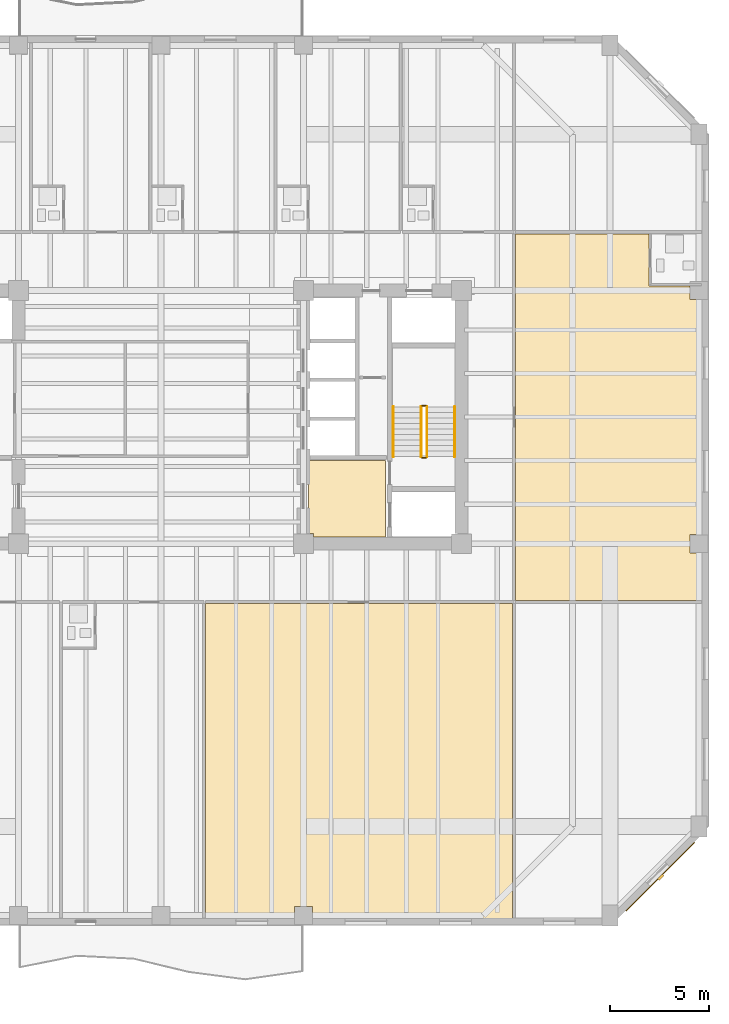
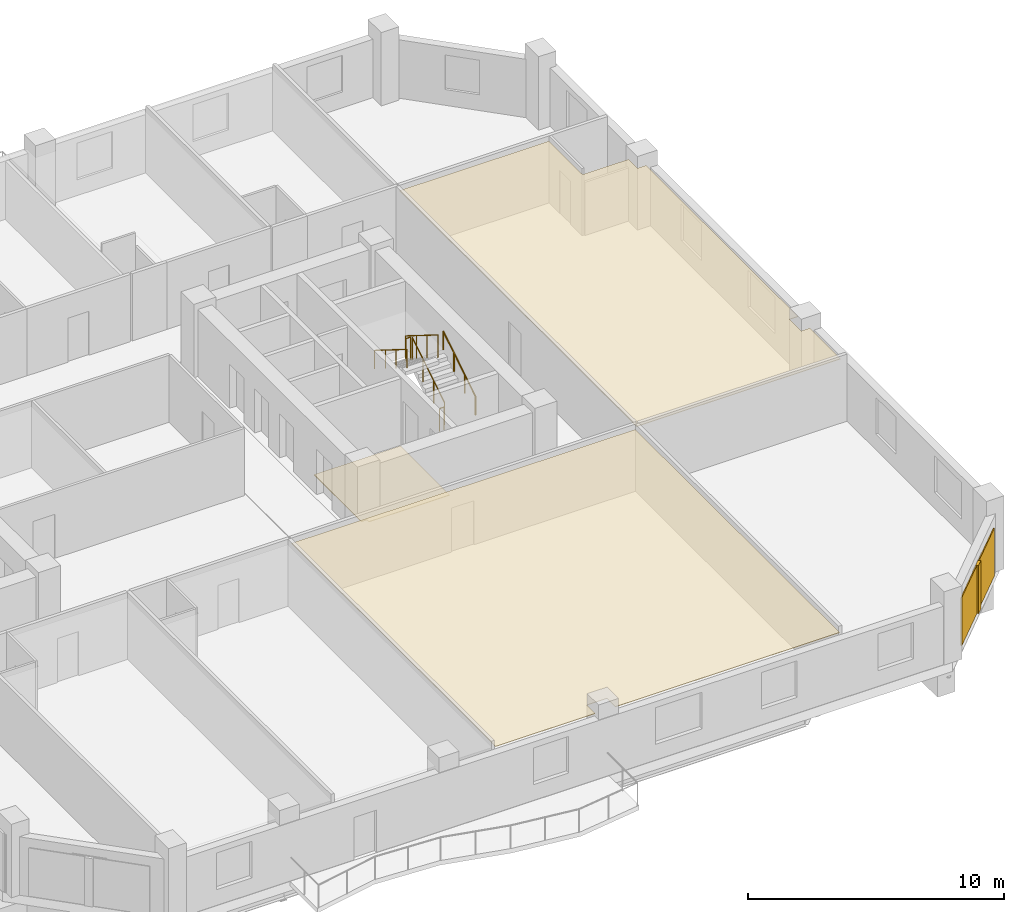
# One storey, part 9 of 11: 6 railings, 4 coverings, 1 shading device.
"""IFC4 building model written with IfcOpenShell, lengths in metres."""

from ifc_helpers import new_model, si_unit, direction, frame, origin, origin_2d, place, context, subcontext, project, spatial, polyline, rectangle, circle, outline, extrude, material, layer, layer_set, type_object, element, save


model = new_model("IFC4")

# Units and contexts
model_context = context("Model", 3, precision=1e-05, world=origin(), true_north=direction((0.0, 1.0)))
body_context = subcontext(model_context, "Body", "Model", "MODEL_VIEW")
ifc_project = project(units=[si_unit("LENGTHUNIT", "METRE"), si_unit("AREAUNIT", "SQUARE_METRE"), si_unit("VOLUMEUNIT", "CUBIC_METRE"), si_unit("PLANEANGLEUNIT", "RADIAN"), si_unit("MASSUNIT", "GRAM", prefix="KILO")], contexts=[model_context])

# Site, building, storey
site_placement = place(None, origin())
site = spatial("IfcSite", under=ifc_project, at=site_placement, CompositionType="ELEMENT")
building_placement = place(site_placement, origin())
building = spatial("IfcBuilding", under=site, at=building_placement, Name="Kranthara Brick Stack", CompositionType="ELEMENT")
storey_placement = place(building_placement, frame((0.0, 0.0, 141.300048828125)))
storey = spatial("IfcBuildingStorey", under=building, at=storey_placement, Name="L35", CompositionType="ELEMENT", Elevation=141.300048828125)

# Coverings
ifc_material_1 = material(Name="Perforated mineral-fibre acoustic ceiling tile", Category="other")
ifc_layer_1 = layer(ifc_material_1, 0.02490234375)
ifc_layer_set_1 = layer_set([ifc_layer_1], Name="Perforated mineral-fibre acoustic ceiling tile")
covering_type_1 = type_object("IfcCoveringType", Name="COV-CEIL-ACOUSTIC", PredefinedType="CEILING", material=ifc_layer_set_1)
covering_1_placement = place(storey_placement, frame((0.0, 0.0, 2.929931640625)))
element("IfcCovering", 1, at=covering_1_placement, inside=storey, type_object=covering_type_1, Name="L35 L35 Guest Sky Lounge 3 Acoustic Ceiling", PredefinedType="CEILING", context=body_context, shape_type="SweptSolid", body=[
    extrude(outline(polyline([(30.251953125, 1.800048828125), (30.251953125, 17.77001953125), (45.77001953125, 17.77001953125), (45.77001953125, 1.800048828125), (35.659912109375, 1.800048828125), (35.659912109375, 2.4599609375), (34.739990234375, 2.4599609375), (34.739990234375, 1.800048828125), (30.251953125, 1.800048828125)])), origin(), (0.0, 0.0, 1.0), 0.02490234375),
])
covering_2_placement = place(storey_placement, frame((0.0, 0.0, 2.929931640625)))
element("IfcCovering", 2, at=covering_2_placement, inside=storey, type_object=covering_type_1, Name="L35 Room L35-09 Corner Junior Suite Acoustic Ceiling", PredefinedType="CEILING", context=body_context, shape_type="SweptSolid", body=[
    extrude(outline(polyline([(45.919921875, 17.929931640625), (45.919921875, 36.469970703125), (52.669921875, 36.469970703125), (52.669921875, 33.840087890625), (54.739990234375, 33.840087890625), (54.739990234375, 33.139892578125), (55.1298828125, 33.139892578125), (55.1298828125, 21.260009765625), (54.739990234375, 21.260009765625), (54.739990234375, 20.340087890625), (55.1298828125, 20.340087890625), (55.1298828125, 17.929931640625), (45.919921875, 17.929931640625)])), origin(), (0.0, 0.0, 1.0), 0.02490234375),
])
ifc_material_2 = material(Name="Warm buff kiln-fired brick slip rainscreen", Category="masonry")
ifc_layer_2 = layer(ifc_material_2, 0.044921875)
ifc_layer_set_2 = layer_set([ifc_layer_2], Name="Warm buff kiln-fired brick slip rainscreen")
covering_type_2 = type_object("IfcCoveringType", Name="COV-CLAD-BRICK", PredefinedType="CLADDING", material=ifc_layer_set_2)
covering_3_placement = place(storey_placement, frame((53.240478515625, 3.959716796875, 0.0498046875), z_axis=(0.0, 0.0, 1.0), x_axis=(-0.707106781187, -0.707106781187, 0.0)))
element("IfcCovering", 3, at=covering_3_placement, inside=storey, type_object=covering_type_2, Name="L35 Chamfer Brick Rainscreen Cladding SE", PredefinedType="CLADDING", context=body_context, shape_type="SweptSolid", body=[
    extrude(rectangle(XDim=4.89306640625, YDim=0.044921875, at=origin_2d()), origin(), (0.0, 0.0, 1.0), 2.300048828125),
])
ifc_material_3 = material(Name="Honed terrazzo and porcelain floor finish", Category="stone")
ifc_layer_3 = layer(ifc_material_3, 0.030029296875)
ifc_layer_set_3 = layer_set([ifc_layer_3], Name="Honed terrazzo and porcelain floor finish")
covering_type_3 = type_object("IfcCoveringType", Name="COV-FLOR-STONE", PredefinedType="FLOORING", material=ifc_layer_set_3)
covering_4_placement = place(storey_placement, origin())
element("IfcCovering", 4, at=covering_4_placement, inside=storey, type_object=covering_type_3, Name="L35 Lift Lobby Stone Flooring", PredefinedType="FLOORING", context=body_context, shape_type="SweptSolid", body=[
    extrude(outline(polyline([(35.449951171875, 25.0), (39.35009765625, 25.0), (39.35009765625, 21.14990234375), (35.7099609375, 21.14990234375), (35.7099609375, 21.31005859375), (35.449951171875, 21.31005859375), (35.449951171875, 25.0)])), origin(), (0.0, 0.0, 1.0), 0.030029296875),
])

# Railings
ifc_material_4 = material(Name="Painted galvanized steel stair guardrail", Category="steel")
railing_type_1 = type_object("IfcRailingType", Name="RL-STAIR-GUARD-1100", PredefinedType="GUARDRAIL", material=ifc_material_4)
railing_1_placement = place(storey_placement, frame((41.449951171875, 25.199951171875, 0.175048828125)))
element("IfcRailing", 5, at=railing_1_placement, inside=storey, type_object=railing_type_1, Name="L35 ST02 stair guard 1", PredefinedType="GUARDRAIL", context=body_context, shape_type="SweptSolid", body=[
    extrude(circle(Radius=0.02392578125, at=origin_2d()), frame((0.0, 0.0, 1.076171875), z_axis=(0.0, 0.848007534815, 0.529984170421), x_axis=(-1.0, 0.0, 0.0)), (0.0, 0.0, 1.0), 2.9716796875),
    extrude(circle(Radius=0.02099609375, at=origin_2d()), origin(), (0.0, 0.0, 1.0), 1.052001953125),
    extrude(circle(Radius=0.02099609375, at=origin_2d()), frame((0.0, 0.840087890625, 0.52490234375)), (0.0, 0.0, 1.0), 1.052001953125),
    extrude(circle(Radius=0.02099609375, at=origin_2d()), frame((0.0, 1.679931640625, 1.050048828125)), (0.0, 0.0, 1.0), 1.052001953125),
    extrude(circle(Radius=0.02099609375, at=origin_2d()), frame((0.0, 2.52001953125, 1.574951171875)), (0.0, 0.0, 1.0), 1.052001953125),
])
railing_2_placement = place(storey_placement, frame((41.39990234375, 27.77001953125, 1.75)))
element("IfcRailing", 6, at=railing_2_placement, inside=storey, type_object=railing_type_1, Name="L35 ST02 stair guard 2", PredefinedType="GUARDRAIL", context=body_context, shape_type="SweptSolid", body=[
    extrude(circle(Radius=0.02392578125, at=origin_2d()), frame((0.0, 0.0, 1.076171875), z_axis=(-1.0, 0.0, 0.0), x_axis=(0.0, -1.0, 0.0)), (0.0, 0.0, 1.0), 0.199951171875),
    extrude(circle(Radius=0.02099609375, at=origin_2d()), origin(), (0.0, 0.0, 1.0), 1.052001953125),
    extrude(circle(Radius=0.02099609375, at=origin_2d()), frame((-0.199951171875, 0.0, 0.0)), (0.0, 0.0, 1.0), 1.052001953125),
])
railing_3_placement = place(storey_placement, frame((41.14990234375, 27.719970703125, 1.925048828125)))
element("IfcRailing", 7, at=railing_3_placement, inside=storey, type_object=railing_type_1, Name="L35 ST02 stair guard 3", PredefinedType="GUARDRAIL", context=body_context, shape_type="SweptSolid", body=[
    extrude(circle(Radius=0.02392578125, at=origin_2d()), frame((0.0, 0.0, 1.076171875), z_axis=(0.0, -0.848007534815, 0.529984170421), x_axis=(1.0, 0.0, 0.0)), (0.0, 0.0, 1.0), 2.9716796875),
    extrude(circle(Radius=0.02099609375, at=origin_2d()), origin(), (0.0, 0.0, 1.0), 1.052001953125),
    extrude(circle(Radius=0.02099609375, at=origin_2d()), frame((0.0, -0.840087890625, 0.52490234375)), (0.0, 0.0, 1.0), 1.052001953125),
    extrude(circle(Radius=0.02099609375, at=origin_2d()), frame((0.0, -1.679931640625, 1.050048828125)), (0.0, 0.0, 1.0), 1.052001953125),
    extrude(circle(Radius=0.02099609375, at=origin_2d()), frame((0.0, -2.52001953125, 1.574951171875)), (0.0, 0.0, 1.0), 1.052001953125),
])
railing_4_placement = place(storey_placement, frame((41.39990234375, 25.14990234375, 0.0)))
element("IfcRailing", 8, at=railing_4_placement, inside=storey, type_object=railing_type_1, Name="L35 ST02 stair guard 4", PredefinedType="GUARDRAIL", context=body_context, shape_type="SweptSolid", body=[
    extrude(circle(Radius=0.02392578125, at=origin_2d()), frame((0.0, 0.0, 1.076171875), z_axis=(-1.0, 0.0, 0.0), x_axis=(0.0, -1.0, 0.0)), (0.0, 0.0, 1.0), 0.199951171875),
    extrude(circle(Radius=0.02099609375, at=origin_2d()), origin(), (0.0, 0.0, 1.0), 1.052001953125),
    extrude(circle(Radius=0.02099609375, at=origin_2d()), frame((-0.199951171875, 0.0, 0.0)), (0.0, 0.0, 1.0), 1.052001953125),
])
ifc_material_5 = material(Name="Brushed stainless steel tubular handrail", Category="steel")
railing_type_2 = type_object("IfcRailingType", Name="RL-STAIR-HAND-900", PredefinedType="HANDRAIL", material=ifc_material_5)
railing_5_placement = place(storey_placement, frame((42.85009765625, 25.199951171875, 0.175048828125)))
element("IfcRailing", 9, at=railing_5_placement, inside=storey, type_object=railing_type_2, Name="L35 ST02 stair handrail 1", PredefinedType="HANDRAIL", context=body_context, shape_type="SweptSolid", body=[
    extrude(circle(Radius=0.02392578125, at=origin_2d()), frame((0.0, 0.0, 0.8759765625), z_axis=(0.0, 0.848007534815, 0.529984170421), x_axis=(-1.0, 0.0, 0.0)), (0.0, 0.0, 1.0), 2.9716796875),
    extrude(circle(Radius=0.02099609375, at=origin_2d()), origin(), (0.0, 0.0, 1.0), 0.851806640625),
    extrude(circle(Radius=0.02099609375, at=origin_2d()), frame((0.0, 0.840087890625, 0.52490234375)), (0.0, 0.0, 1.0), 0.851806640625),
    extrude(circle(Radius=0.02099609375, at=origin_2d()), frame((0.0, 1.679931640625, 1.050048828125)), (0.0, 0.0, 1.0), 0.851806640625),
    extrude(circle(Radius=0.02099609375, at=origin_2d()), frame((0.0, 2.52001953125, 1.574951171875)), (0.0, 0.0, 1.0), 0.851806640625),
])
railing_6_placement = place(storey_placement, frame((39.75, 27.719970703125, 1.925048828125)))
element("IfcRailing", 10, at=railing_6_placement, inside=storey, type_object=railing_type_2, Name="L35 ST02 stair handrail 2", PredefinedType="HANDRAIL", context=body_context, shape_type="SweptSolid", body=[
    extrude(circle(Radius=0.02392578125, at=origin_2d()), frame((0.0, 0.0, 0.8759765625), z_axis=(0.0, -0.848007534815, 0.529984170421), x_axis=(1.0, 0.0, 0.0)), (0.0, 0.0, 1.0), 2.9716796875),
    extrude(circle(Radius=0.02099609375, at=origin_2d()), origin(), (0.0, 0.0, 1.0), 0.851806640625),
    extrude(circle(Radius=0.02099609375, at=origin_2d()), frame((0.0, -0.840087890625, 0.52490234375)), (0.0, 0.0, 1.0), 0.851806640625),
    extrude(circle(Radius=0.02099609375, at=origin_2d()), frame((0.0, -1.679931640625, 1.050048828125)), (0.0, 0.0, 1.0), 0.851806640625),
    extrude(circle(Radius=0.02099609375, at=origin_2d()), frame((0.0, -2.52001953125, 1.574951171875)), (0.0, 0.0, 1.0), 0.851806640625),
])

# Shading device
ifc_material_6 = material(Name="Kiln-fired terracotta aerodynamic wind fin", Category="masonry")
shading_device_type = type_object("IfcShadingDeviceType", Name="SHD-BAFFLE-CORNER", PredefinedType="SHUTTER", material=ifc_material_6)
shading_device_placement = place(storey_placement, frame((53.26171875, 3.9384765625, 0.0498046875), z_axis=(0.0, 0.0, 1.0), x_axis=(-0.707106781187, -0.707106781187, 0.0)))
element("IfcShadingDevice", 11, at=shading_device_placement, inside=storey, type_object=shading_device_type, Name="L35 Chamfer Wind-Baffle Fin SE", PredefinedType="SHUTTER", context=body_context, shape_type="SweptSolid", body=[
    extrude(rectangle(XDim=0.35009765625, YDim=0.1201171875, at=origin_2d()), origin(), (0.0, 0.0, 1.0), 2.300048828125),
])

save(model, "model.ifc")
